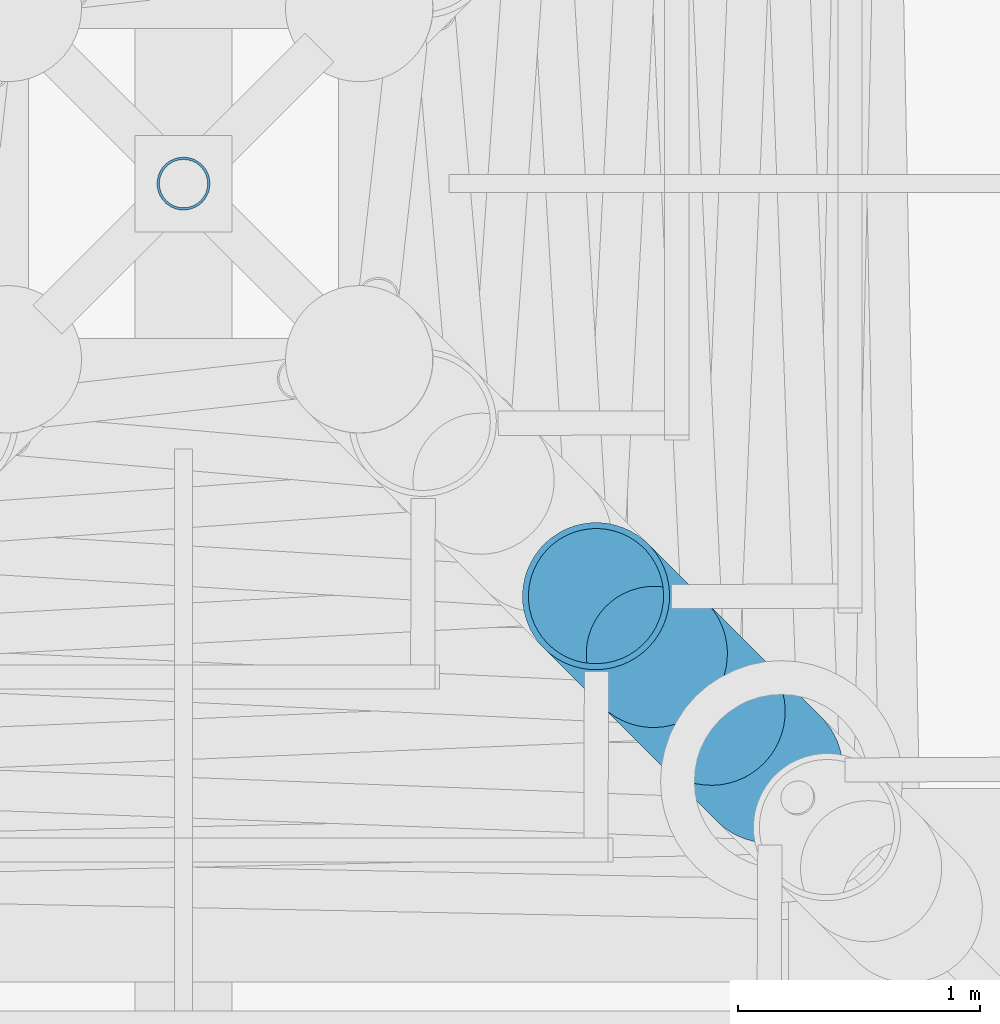
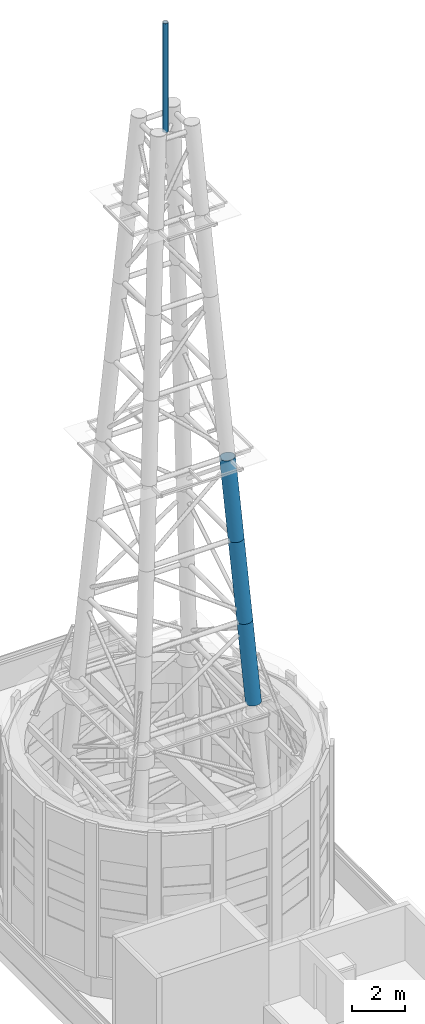
# One storey, part 7 of 36: 4 members.
"""IFC4 building model written with IfcOpenShell, lengths in metres."""

import ifcopenshell
import ifcopenshell.guid

model = None  # the IFC model being written
_history = None  # IfcOwnerHistory: only IFC2X3 demands one
_inside = {}  # id of a spatial element -> (the spatial element, [elements in it])
_under = {}  # id of a project, library or spatial element -> (it, [spatial elements below it])
_declared = {}  # id of a project -> (the project, [libraries it declares])
_typed = {}  # id of a type object -> (the type object, [elements of that type])
_made_of = {}  # id of a material, layer set ... -> (it, [elements and type objects made of it])


def new_model(schema):
    """Start an empty IFC model of exactly this schema.

    Asked for "IFC4X3", IfcOpenShell would pick the latest addendum, in which some entities
    have other attributes; the version numbers below select the first issue.
    IFC2X3 requires an IfcOwnerHistory on every rooted entity: one is made here for all.
    """
    global model, _history
    if schema == "IFC4X3":
        model = ifcopenshell.file(schema_version=(4, 3, 0, 0))
    else:
        model = ifcopenshell.file(schema=schema)
    _inside.clear()
    _under.clear()
    _declared.clear()
    _typed.clear()
    _made_of.clear()
    _history = None
    if model.schema == "IFC2X3":
        org = make("IfcOrganization", Name="unknown")
        user = make(
            "IfcPersonAndOrganization",
            ThePerson=make("IfcPerson", FamilyName="unknown"),
            TheOrganization=org,
        )
        app = make(
            "IfcApplication",
            ApplicationDeveloper=org,
            Version="unknown",
            ApplicationFullName="unknown",
            ApplicationIdentifier="unknown",
        )
        _history = make(
            "IfcOwnerHistory",
            OwningUser=user,
            OwningApplication=app,
            ChangeAction="ADDED",
            CreationDate=0,
        )
    return model


def make(cls, **values):
    """One entity of the class cls with the attributes given. An attribute that is None is left unset."""
    return model.create_entity(
        cls, **{name: value for name, value in values.items() if value is not None}
    )


def rooted(cls, **values):
    """An entity with a GlobalId (a new one), such as an element, a storey or a relation."""
    return make(cls, GlobalId=ifcopenshell.guid.new(), OwnerHistory=_history, **values)


def si_unit(unit_type, name, prefix=None):
    """IfcSIUnit, for example si_unit("LENGTHUNIT", "METRE", prefix="MILLI")."""
    return make("IfcSIUnit", UnitType=unit_type, Prefix=prefix, Name=name)


def assignment(units):
    """IfcUnitAssignment: the units of a project."""
    return None if units is None else make("IfcUnitAssignment", Units=units)


def point(xyz):
    """IfcCartesianPoint."""
    return None if xyz is None else make("IfcCartesianPoint", Coordinates=xyz)


def direction(xyz):
    """IfcDirection."""
    return None if xyz is None else make("IfcDirection", DirectionRatios=xyz)


def frame(location, z_axis=None, x_axis=None):
    """IfcAxis2Placement3D, a coordinate frame: its origin and axes. An axis left out is left unset."""
    return make(
        "IfcAxis2Placement3D",
        Location=point(location),
        Axis=direction(z_axis),
        RefDirection=direction(x_axis),
    )


def frame_2d(location, x_axis=None):
    """IfcAxis2Placement2D, a coordinate frame in the plane: its origin and x axis."""
    return make(
        "IfcAxis2Placement2D", Location=point(location), RefDirection=direction(x_axis)
    )


def origin():
    """The frame at (0, 0, 0) with its axes left unset."""
    return frame((0.0, 0.0, 0.0))


def origin_2d():
    """The frame at (0, 0) in the plane with its x axis left unset."""
    return frame_2d((0.0, 0.0))


def place(relative_to, where):
    """IfcLocalPlacement: puts the frame where relative to a parent placement (None: the world)."""
    return make(
        "IfcLocalPlacement", PlacementRelTo=relative_to, RelativePlacement=where
    )


def context(
    kind, dimensions, precision=None, world=None, true_north=None, identifier=None
):
    """IfcGeometricRepresentationContext, for example the 3D "Model" context."""
    return make(
        "IfcGeometricRepresentationContext",
        ContextIdentifier=identifier,
        ContextType=kind,
        CoordinateSpaceDimension=dimensions,
        Precision=precision,
        WorldCoordinateSystem=world,
        TrueNorth=true_north,
    )


def subcontext(parent, identifier, kind, view, scale=None):
    """IfcGeometricRepresentationSubContext, for example "Body" below "Model"."""
    return make(
        "IfcGeometricRepresentationSubContext",
        ContextIdentifier=identifier,
        ContextType=kind,
        ParentContext=parent,
        TargetScale=scale,
        TargetView=view,
    )


def project(units=None, contexts=None):
    """IfcProject with its units and contexts."""
    return rooted(
        "IfcProject",
        Name="project",
        RepresentationContexts=contexts,
        UnitsInContext=assignment(units),
    )


def spatial(cls, under=None, at=None, **own):
    """A site, building, storey or space (cls), placed at a placement, below another one or the project."""
    s = rooted(cls, ObjectPlacement=at, **own)
    if under is not None:
        _under.setdefault(under.id(), (under, []))[1].append(s)
    return s


def profile(cls, at=None, kind="AREA", **sizes):
    """A parametric profile (cls). Its sizes go by their IFC names, for example OverallWidth=200.0."""
    return make(cls, ProfileType=kind, Position=at, **sizes)


def hollow_circle(**sizes):
    """IfcCircleHollowProfileDef."""
    return profile("IfcCircleHollowProfileDef", **sizes)


def extrude(swept, where, along, depth):
    """IfcExtrudedAreaSolid: the profile swept, set in the frame where, extruded along a direction by depth."""
    return make(
        "IfcExtrudedAreaSolid",
        SweptArea=swept,
        Position=where,
        ExtrudedDirection=direction(along),
        Depth=depth,
    )


def shape(context_of_items, identifier, shape_type, items):
    """IfcShapeRepresentation: the items that make up one representation, for example the "Body"."""
    return make(
        "IfcShapeRepresentation",
        ContextOfItems=context_of_items,
        RepresentationIdentifier=identifier,
        RepresentationType=shape_type,
        Items=items,
    )


def material(Name=None, Category=None):
    """IfcMaterial."""
    return make("IfcMaterial", Name=Name, Category=Category)


def material_profile(
    of_material, cross_section, Name=None, Category=None, Priority=None
):
    """IfcMaterialProfile: a cross section and its material."""
    return make(
        "IfcMaterialProfile",
        Name=Name,
        Material=of_material,
        Profile=cross_section,
        Priority=Priority,
        Category=Category,
    )


def profile_set(profiles, Name=None, composite=None):
    """IfcMaterialProfileSet."""
    return make(
        "IfcMaterialProfileSet",
        Name=Name,
        MaterialProfiles=profiles,
        CompositeProfile=composite,
    )


def made_of(thing, what):
    """Note that an element or type object is made of a material, layer set ...; save() writes the relation."""
    if what is not None:
        _made_of.setdefault(what.id(), (what, []))[1].append(thing)
    return thing


def type_object(cls, material=None, **own):
    """A type object (cls), such as IfcWallType, which elements share."""
    return made_of(rooted(cls, **own), material)


def element(
    cls,
    number,
    at=None,
    inside=None,
    cuts=None,
    type_object=None,
    material=None,
    context=None,
    identifier="Body",
    shape_type=None,
    held_by="IfcProductDefinitionShape",
    body=None,
    shapes=None,
    **own,
):
    """One element of the class cls, such as IfcWall. Its Tag is "e" and its number.

    at: its placement. inside: the storey or other place that contains it. cuts: it is an
    opening in that element (IfcRelVoidsElement). A single representation is given by context,
    identifier, shape_type and body (its items); several are given by shapes. held_by: the class
    of the entity that holds the representations. save() writes the other relations.
    """
    e = rooted(cls, Tag="e%d" % number, ObjectPlacement=at, **own)
    if body is not None:
        shapes = [shape(context, identifier, shape_type, body)]
    if shapes is not None:
        e.Representation = make(held_by, Representations=shapes)
    if inside is not None:
        _inside.setdefault(inside.id(), (inside, []))[1].append(e)
    if cuts is not None:
        rooted(
            "IfcRelVoidsElement", RelatingBuildingElement=cuts, RelatedOpeningElement=e
        )
    if type_object is not None:
        _typed.setdefault(type_object.id(), (type_object, []))[1].append(e)
    return made_of(e, material)


def aggregate(whole, parts):
    """IfcRelAggregates: a whole, such as a stair, and the parts it consists of."""
    return rooted("IfcRelAggregates", RelatingObject=whole, RelatedObjects=parts)


def save(model, path):
    """Write the relations noted so far, then the file.

    IfcRelAggregates (storeys below a building ...), IfcRelContainedInSpatialStructure (elements
    in a storey), IfcRelDefinesByType, IfcRelAssociatesMaterial and IfcRelDeclares: one each for
    every whole, place, type object, material and project.
    """
    for whole, parts in _under.values():
        aggregate(whole, parts)
    for where, things in _inside.values():
        rooted(
            "IfcRelContainedInSpatialStructure",
            RelatedElements=things,
            RelatingStructure=where,
        )
    for kind, things in _typed.values():
        rooted("IfcRelDefinesByType", RelatedObjects=things, RelatingType=kind)
    for what, things in _made_of.values():
        rooted("IfcRelAssociatesMaterial", RelatedObjects=things, RelatingMaterial=what)
    for by, libraries in _declared.values():
        rooted("IfcRelDeclares", RelatingContext=by, RelatedDefinitions=libraries)
    model.write(path)


model = new_model("IFC4")

# Units and contexts
model_context = context("Model", 3, precision=1e-05, world=origin(), true_north=direction((0.0, 1.0)))
body_context = subcontext(model_context, "Body", "Model", "MODEL_VIEW")
ifc_project = project(units=[si_unit("LENGTHUNIT", "METRE"), si_unit("AREAUNIT", "SQUARE_METRE"), si_unit("VOLUMEUNIT", "CUBIC_METRE"), si_unit("PLANEANGLEUNIT", "RADIAN"), si_unit("MASSUNIT", "GRAM", prefix="KILO")], contexts=[model_context])

# Site, building, storey
site_placement = place(None, origin())
site = spatial("IfcSite", under=ifc_project, at=site_placement, CompositionType="ELEMENT")
building_placement = place(site_placement, origin())
building = spatial("IfcBuilding", under=site, at=building_placement, Name="Ipe Terrace Towers", CompositionType="ELEMENT")
storey_placement = place(building_placement, frame((0.0, 0.0, 264.89990234375)))
storey = spatial("IfcBuildingStorey", under=building, at=storey_placement, Name="Roof", CompositionType="ELEMENT", Elevation=264.89990234375)

# Members
ifc_material_1 = material(Name="Steel S355", Category="steel")
ifc_material_profile_1 = material_profile(ifc_material_1, hollow_circle(Radius=0.109619140625, WallThickness=0.010009765625, at=origin_2d()), Name="MAST-ANTENNA CHS 219x10")
ifc_profile_set_1 = profile_set([ifc_material_profile_1], Name="Steel S355")
member_type_1 = type_object("IfcMemberType", Name="MAST-ANTENNA CHS 219x10", PredefinedType="USERDEFINED", material=ifc_profile_set_1)
member_1_placement = place(storey_placement, frame((36.0, 0.0, 35.734130859375), z_axis=(0.0, 0.0, 1.0), x_axis=(1.0, 0.0, 0.0)))
element("IfcMember", 1, at=member_1_placement, inside=storey, type_object=member_type_1, Name="T2-MA-1 mast antenna", ObjectType="ANTENNA", PredefinedType="USERDEFINED", context=body_context, shape_type="SweptSolid", body=[
    extrude(hollow_circle(Radius=0.109619140625, WallThickness=0.010009765625, at=origin_2d()), origin(), (0.0, 0.0, 1.0), 5.0),
])
ifc_material_2 = material(Name="Steel S355", Category="steel")
ifc_material_profile_2 = material_profile(ifc_material_2, hollow_circle(Radius=0.304931640625, WallThickness=0.02490234375, at=origin_2d()), Name="MAST-LEG CHS 610x25")
ifc_profile_set_2 = profile_set([ifc_material_profile_2], Name="Steel S355")
member_type_2 = type_object("IfcMemberType", Name="MAST-LEG CHS 610x25", PredefinedType="POST", material=ifc_profile_set_2)
member_2_placement = place(storey_placement, frame((38.4208984375, -2.4208984375, 10.18701171875), z_axis=(-0.064211293321, 0.064211293321, 0.995868374646), x_axis=(-0.707106781187, -0.707106781187, 0.0)))
element("IfcMember", 2, at=member_2_placement, inside=storey, type_object=member_type_2, Name="T2-MS-004 mast leg", PredefinedType="POST", context=body_context, shape_type="SweptSolid", body=[
    extrude(hollow_circle(Radius=0.304931640625, WallThickness=0.02490234375, at=origin_2d()), origin(), (0.0, 0.0, 1.0), 3.703369140625),
])
member_3_placement = place(storey_placement, frame((38.18310546875, -2.18310546875, 13.875), z_axis=(-0.064555132618, 0.064555132618, 0.99582391501), x_axis=(-0.707106781187, -0.707106781187, 0.0)))
element("IfcMember", 3, at=member_3_placement, inside=storey, type_object=member_type_2, Name="T2-MS-005 mast leg", PredefinedType="POST", context=body_context, shape_type="SweptSolid", body=[
    extrude(hollow_circle(Radius=0.304931640625, WallThickness=0.02490234375, at=origin_2d()), origin(), (0.0, 0.0, 1.0), 3.702392578125),
])
member_4_placement = place(storey_placement, frame((37.944091796875, -1.944091796875, 17.56201171875), z_axis=(-0.06453818113, 0.06453818113, 0.995826112508), x_axis=(-0.707106781187, -0.707106781187, 0.0)))
element("IfcMember", 4, at=member_4_placement, inside=storey, type_object=member_type_2, Name="T2-MS-006 mast leg", PredefinedType="POST", context=body_context, shape_type="SweptSolid", body=[
    extrude(hollow_circle(Radius=0.304931640625, WallThickness=0.02490234375, at=origin_2d()), origin(), (0.0, 0.0, 1.0), 3.703369140625),
])

save(model, "model.ifc")
